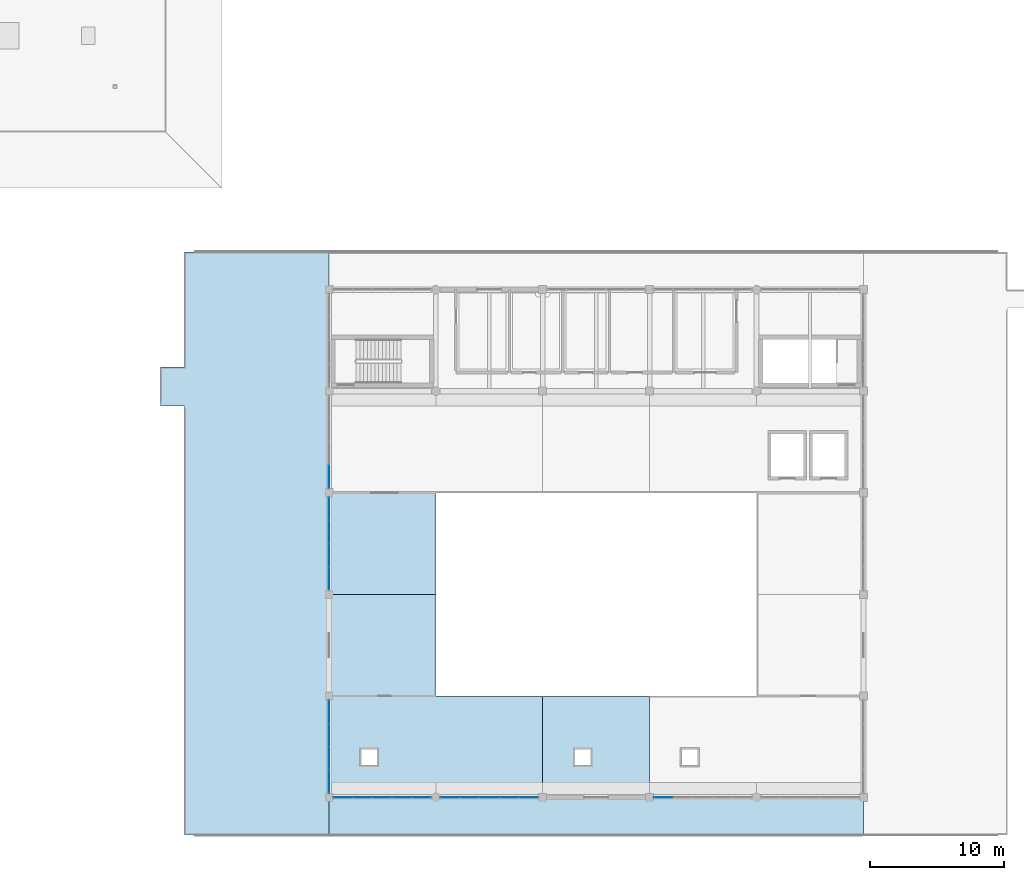
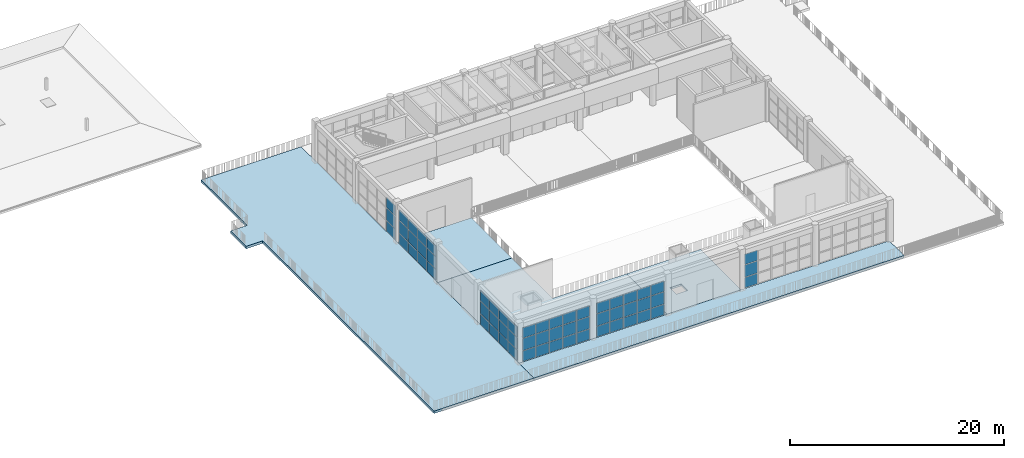
# One storey, part 22 of 32: 60 plates, 5 slabs, 6 elements without a shape of their own.
"""IFC4 building model written with IfcOpenShell, lengths in metres."""

from ifc_helpers import new_model, si_unit, direction, frame, origin, origin_2d, place, context, subcontext, project, spatial, polyline, rectangle, outline, extrude, material, layer, layer_set, type_object, element, aggregate, save


model = new_model("IFC4")

# Units and contexts
model_context = context("Model", 3, precision=1e-05, world=origin(), true_north=direction((0.0, 1.0)))
body_context = subcontext(model_context, "Body", "Model", "MODEL_VIEW")
ifc_project = project(units=[si_unit("LENGTHUNIT", "METRE"), si_unit("AREAUNIT", "SQUARE_METRE"), si_unit("VOLUMEUNIT", "CUBIC_METRE"), si_unit("PLANEANGLEUNIT", "RADIAN"), si_unit("MASSUNIT", "GRAM", prefix="KILO")], contexts=[model_context])

# Site, building, storey
site_placement = place(None, origin())
site = spatial("IfcSite", under=ifc_project, at=site_placement, CompositionType="ELEMENT")
building_placement = place(site_placement, origin())
building = spatial("IfcBuilding", under=site, at=building_placement, Name="Zantavel Square City Hall", CompositionType="ELEMENT")
storey_placement = place(building_placement, frame((0.0, 0.0, 23.699951171875)))
storey = spatial("IfcBuildingStorey", under=building, at=storey_placement, Name="L06", CompositionType="ELEMENT", Elevation=23.699951171875)

# Slabs
ifc_material_1 = material(Name="Concrete C35/45", Category="concrete")
ifc_layer_1 = layer(ifc_material_1, 0.22998046875, Name="Concrete C35/45")
ifc_layer_set_1 = layer_set([ifc_layer_1], Name="Concrete C35/45")
slab_type_1 = type_object("IfcSlabType", Name="Gallery Mezzanine Slab 230mm C35/45", PredefinedType="FLOOR", material=ifc_layer_set_1)
slab_1_placement = place(storey_placement, frame((0.0, 0.0, -0.22998046875)))
element("IfcSlab", 1, at=slab_1_placement, inside=storey, type_object=slab_type_1, Name="L06 Floor Slab SLB-L06-V1-01", PredefinedType="FLOOR", context=body_context, shape_type="SweptSolid", body=[
    extrude(outline(polyline([(72.0, 45.60009765625), (72.0, 38.0), (80.0, 38.0), (80.0, 30.39990234375), (64.0, 30.39990234375), (64.0, 45.60009765625), (72.0, 45.60009765625)]), holes=[polyline([(67.60009765625, 34.0), (66.39990234375, 34.0), (66.39990234375, 32.800048828125), (67.60009765625, 32.800048828125), (67.60009765625, 34.0)])]), origin(), (0.0, 0.0, 1.0), 0.22998046875),
])
slab_2_placement = place(storey_placement, frame((0.0, 0.0, -0.22998046875)))
element("IfcSlab", 2, at=slab_2_placement, inside=storey, type_object=slab_type_1, Name="L06 Floor Slab SLB-L06-V1-02", PredefinedType="FLOOR", context=body_context, shape_type="SweptSolid", body=[
    extrude(outline(polyline([(80.0, 30.39990234375), (80.0, 38.0), (88.0, 38.0), (88.0, 30.39990234375), (80.0, 30.39990234375)]), holes=[polyline([(83.60009765625, 34.0), (82.39990234375, 34.0), (82.39990234375, 32.800048828125), (83.60009765625, 32.800048828125), (83.60009765625, 34.0)])]), origin(), (0.0, 0.0, 1.0), 0.22998046875),
])
slab_3_placement = place(storey_placement, frame((0.0, 0.0, -0.22998046875)))
element("IfcSlab", 3, at=slab_3_placement, inside=storey, type_object=slab_type_1, Name="L06 Floor Slab SLB-L06-V1-04", PredefinedType="FLOOR", context=body_context, shape_type="SweptSolid", body=[
    extrude(outline(polyline([(72.0, 53.199951171875), (72.0, 45.60009765625), (64.0, 45.60009765625), (64.0, 53.199951171875), (72.0, 53.199951171875)])), origin(), (0.0, 0.0, 1.0), 0.22998046875),
])

# Curtain wall, plates
ifc_material_2 = material(Name="Anodised aluminium 6063-T6", Category="aluminium")
curtain_wall_type_1 = type_object("IfcCurtainWallType", Name="Curtain Wall TRV1 7375x3980", PredefinedType="USERDEFINED", material=ifc_material_2)
curtain_wall_1_placement = place(storey_placement, origin())
curtain_wall_1 = element("IfcCurtainWall", 4, at=curtain_wall_1_placement, inside=storey, type_object=curtain_wall_type_1, Name="L06 Glazed Curtain Wall CW-L06-155", ObjectType="GLAZED CURTAIN WALL", PredefinedType="USERDEFINED")
ifc_material_3 = material(Name="Tempered safety glass low-E double glazing", Category="glass")
ifc_layer_2 = layer(ifc_material_3, 0.028076171875, Name="Tempered safety glass low-E double glazing")
ifc_layer_set_2 = layer_set([ifc_layer_2], Name="Tempered safety glass low-E double glazing")
plate_type_1 = type_object("IfcPlateType", Name="Low-E Curtain Glazing Panel 1475x1327x28", PredefinedType="CURTAIN_PANEL", material=ifc_layer_set_2)
plate_1_placement = place(storey_placement, frame((89.052490234375, 30.39990234375, 0.06005859375), z_axis=(0.0, 0.0, 1.0), x_axis=(-1.0, 0.0, 0.0)))
plate_1 = element("IfcPlate", 5, at=plate_1_placement, type_object=plate_type_1, Name="CW-155 panel 5.1", PredefinedType="CURTAIN_PANEL", context=body_context, shape_type="SweptSolid", body=[
    extrude(rectangle(XDim=1.385009765625, YDim=0.028076171875, at=origin_2d()), origin(), (0.0, 0.0, 1.0), 1.18408203125),
])
plate_2_placement = place(storey_placement, frame((89.052490234375, 30.39990234375, 1.303955078125), z_axis=(0.0, 0.0, 1.0), x_axis=(-1.0, 0.0, 0.0)))
plate_2 = element("IfcPlate", 6, at=plate_2_placement, type_object=plate_type_1, Name="CW-155 panel 5.2", PredefinedType="CURTAIN_PANEL", context=body_context, shape_type="SweptSolid", body=[
    extrude(rectangle(XDim=1.385009765625, YDim=0.028076171875, at=origin_2d()), origin(), (0.0, 0.0, 1.0), 1.3720703125),
])
plate_3_placement = place(storey_placement, frame((89.052490234375, 30.39990234375, 2.736083984375), z_axis=(0.0, 0.0, 1.0), x_axis=(-1.0, 0.0, 0.0)))
plate_3 = element("IfcPlate", 7, at=plate_3_placement, type_object=plate_type_1, Name="CW-155 panel 5.3", PredefinedType="CURTAIN_PANEL", context=body_context, shape_type="SweptSolid", body=[
    extrude(rectangle(XDim=1.385009765625, YDim=0.028076171875, at=origin_2d()), origin(), (0.0, 0.0, 1.0), 1.18408203125),
])
aggregate(curtain_wall_1, [plate_1, plate_2, plate_3])

curtain_wall_2_placement = place(storey_placement, origin())
curtain_wall_2 = element("IfcCurtainWall", 8, at=curtain_wall_2_placement, inside=storey, type_object=curtain_wall_type_1, Name="L06 Glazed Curtain Wall CW-L06-156", ObjectType="GLAZED CURTAIN WALL", PredefinedType="USERDEFINED")
plate_4_placement = place(storey_placement, frame((78.947509765625, 30.39990234375, 0.06005859375), z_axis=(0.0, 0.0, 1.0), x_axis=(-1.0, 0.0, 0.0)))
plate_4 = element("IfcPlate", 9, at=plate_4_placement, type_object=plate_type_1, Name="CW-156 panel 1.1", PredefinedType="CURTAIN_PANEL", context=body_context, shape_type="SweptSolid", body=[
    extrude(rectangle(XDim=1.385009765625, YDim=0.028076171875, at=origin_2d()), origin(), (0.0, 0.0, 1.0), 1.18408203125),
])
plate_5_placement = place(storey_placement, frame((78.947509765625, 30.39990234375, 1.303955078125), z_axis=(0.0, 0.0, 1.0), x_axis=(-1.0, 0.0, 0.0)))
plate_5 = element("IfcPlate", 10, at=plate_5_placement, type_object=plate_type_1, Name="CW-156 panel 1.2", PredefinedType="CURTAIN_PANEL", context=body_context, shape_type="SweptSolid", body=[
    extrude(rectangle(XDim=1.385009765625, YDim=0.028076171875, at=origin_2d()), origin(), (0.0, 0.0, 1.0), 1.3720703125),
])
plate_6_placement = place(storey_placement, frame((78.947509765625, 30.39990234375, 2.736083984375), z_axis=(0.0, 0.0, 1.0), x_axis=(-1.0, 0.0, 0.0)))
plate_6 = element("IfcPlate", 11, at=plate_6_placement, type_object=plate_type_1, Name="CW-156 panel 1.3", PredefinedType="CURTAIN_PANEL", context=body_context, shape_type="SweptSolid", body=[
    extrude(rectangle(XDim=1.385009765625, YDim=0.028076171875, at=origin_2d()), origin(), (0.0, 0.0, 1.0), 1.18408203125),
])
plate_7_placement = place(storey_placement, frame((77.487548828125, 30.39990234375, 0.06005859375), z_axis=(0.0, 0.0, 1.0), x_axis=(-1.0, 0.0, 0.0)))
plate_7 = element("IfcPlate", 12, at=plate_7_placement, type_object=plate_type_1, Name="CW-156 panel 2.1", PredefinedType="CURTAIN_PANEL", context=body_context, shape_type="SweptSolid", body=[
    extrude(rectangle(XDim=1.4150390625, YDim=0.028076171875, at=origin_2d()), origin(), (0.0, 0.0, 1.0), 1.18408203125),
])
plate_8_placement = place(storey_placement, frame((77.487548828125, 30.39990234375, 1.303955078125), z_axis=(0.0, 0.0, 1.0), x_axis=(-1.0, 0.0, 0.0)))
plate_8 = element("IfcPlate", 13, at=plate_8_placement, type_object=plate_type_1, Name="CW-156 panel 2.2", PredefinedType="CURTAIN_PANEL", context=body_context, shape_type="SweptSolid", body=[
    extrude(rectangle(XDim=1.4150390625, YDim=0.028076171875, at=origin_2d()), origin(), (0.0, 0.0, 1.0), 1.3720703125),
])
plate_9_placement = place(storey_placement, frame((77.487548828125, 30.39990234375, 2.736083984375), z_axis=(0.0, 0.0, 1.0), x_axis=(-1.0, 0.0, 0.0)))
plate_9 = element("IfcPlate", 14, at=plate_9_placement, type_object=plate_type_1, Name="CW-156 panel 2.3", PredefinedType="CURTAIN_PANEL", context=body_context, shape_type="SweptSolid", body=[
    extrude(rectangle(XDim=1.4150390625, YDim=0.028076171875, at=origin_2d()), origin(), (0.0, 0.0, 1.0), 1.18408203125),
])
plate_10_placement = place(storey_placement, frame((76.012451171875, 30.39990234375, 0.06005859375), z_axis=(0.0, 0.0, 1.0), x_axis=(-1.0, 0.0, 0.0)))
plate_10 = element("IfcPlate", 15, at=plate_10_placement, type_object=plate_type_1, Name="CW-156 panel 3.1", PredefinedType="CURTAIN_PANEL", context=body_context, shape_type="SweptSolid", body=[
    extrude(rectangle(XDim=1.4150390625, YDim=0.028076171875, at=origin_2d()), origin(), (0.0, 0.0, 1.0), 1.18408203125),
])
plate_11_placement = place(storey_placement, frame((76.012451171875, 30.39990234375, 1.303955078125), z_axis=(0.0, 0.0, 1.0), x_axis=(-1.0, 0.0, 0.0)))
plate_11 = element("IfcPlate", 16, at=plate_11_placement, type_object=plate_type_1, Name="CW-156 panel 3.2", PredefinedType="CURTAIN_PANEL", context=body_context, shape_type="SweptSolid", body=[
    extrude(rectangle(XDim=1.4150390625, YDim=0.028076171875, at=origin_2d()), origin(), (0.0, 0.0, 1.0), 1.3720703125),
])
plate_12_placement = place(storey_placement, frame((76.012451171875, 30.39990234375, 2.736083984375), z_axis=(0.0, 0.0, 1.0), x_axis=(-1.0, 0.0, 0.0)))
plate_12 = element("IfcPlate", 17, at=plate_12_placement, type_object=plate_type_1, Name="CW-156 panel 3.3", PredefinedType="CURTAIN_PANEL", context=body_context, shape_type="SweptSolid", body=[
    extrude(rectangle(XDim=1.4150390625, YDim=0.028076171875, at=origin_2d()), origin(), (0.0, 0.0, 1.0), 1.18408203125),
])
plate_13_placement = place(storey_placement, frame((74.53759765625, 30.39990234375, 0.06005859375), z_axis=(0.0, 0.0, 1.0), x_axis=(-1.0, 0.0, 0.0)))
plate_13 = element("IfcPlate", 18, at=plate_13_placement, type_object=plate_type_1, Name="CW-156 panel 4.1", PredefinedType="CURTAIN_PANEL", context=body_context, shape_type="SweptSolid", body=[
    extrude(rectangle(XDim=1.4150390625, YDim=0.028076171875, at=origin_2d()), origin(), (0.0, 0.0, 1.0), 1.18408203125),
])
plate_14_placement = place(storey_placement, frame((74.53759765625, 30.39990234375, 1.303955078125), z_axis=(0.0, 0.0, 1.0), x_axis=(-1.0, 0.0, 0.0)))
plate_14 = element("IfcPlate", 19, at=plate_14_placement, type_object=plate_type_1, Name="CW-156 panel 4.2", PredefinedType="CURTAIN_PANEL", context=body_context, shape_type="SweptSolid", body=[
    extrude(rectangle(XDim=1.4150390625, YDim=0.028076171875, at=origin_2d()), origin(), (0.0, 0.0, 1.0), 1.3720703125),
])
plate_15_placement = place(storey_placement, frame((74.53759765625, 30.39990234375, 2.736083984375), z_axis=(0.0, 0.0, 1.0), x_axis=(-1.0, 0.0, 0.0)))
plate_15 = element("IfcPlate", 20, at=plate_15_placement, type_object=plate_type_1, Name="CW-156 panel 4.3", PredefinedType="CURTAIN_PANEL", context=body_context, shape_type="SweptSolid", body=[
    extrude(rectangle(XDim=1.4150390625, YDim=0.028076171875, at=origin_2d()), origin(), (0.0, 0.0, 1.0), 1.18408203125),
])
plate_16_placement = place(storey_placement, frame((73.077392578125, 30.39990234375, 0.06005859375), z_axis=(0.0, 0.0, 1.0), x_axis=(-1.0, 0.0, 0.0)))
plate_16 = element("IfcPlate", 21, at=plate_16_placement, type_object=plate_type_1, Name="CW-156 panel 5.1", PredefinedType="CURTAIN_PANEL", context=body_context, shape_type="SweptSolid", body=[
    extrude(rectangle(XDim=1.385009765625, YDim=0.028076171875, at=origin_2d()), origin(), (0.0, 0.0, 1.0), 1.18408203125),
])
plate_17_placement = place(storey_placement, frame((73.077392578125, 30.39990234375, 1.303955078125), z_axis=(0.0, 0.0, 1.0), x_axis=(-1.0, 0.0, 0.0)))
plate_17 = element("IfcPlate", 22, at=plate_17_placement, type_object=plate_type_1, Name="CW-156 panel 5.2", PredefinedType="CURTAIN_PANEL", context=body_context, shape_type="SweptSolid", body=[
    extrude(rectangle(XDim=1.385009765625, YDim=0.028076171875, at=origin_2d()), origin(), (0.0, 0.0, 1.0), 1.3720703125),
])
plate_18_placement = place(storey_placement, frame((73.077392578125, 30.39990234375, 2.736083984375), z_axis=(0.0, 0.0, 1.0), x_axis=(-1.0, 0.0, 0.0)))
plate_18 = element("IfcPlate", 23, at=plate_18_placement, type_object=plate_type_1, Name="CW-156 panel 5.3", PredefinedType="CURTAIN_PANEL", context=body_context, shape_type="SweptSolid", body=[
    extrude(rectangle(XDim=1.385009765625, YDim=0.028076171875, at=origin_2d()), origin(), (0.0, 0.0, 1.0), 1.18408203125),
])
aggregate(curtain_wall_2, [plate_4, plate_5, plate_6, plate_7, plate_8, plate_9, plate_10, plate_11, plate_12, plate_13, plate_14, plate_15, plate_16, plate_17, plate_18])

curtain_wall_3_placement = place(storey_placement, origin())
curtain_wall_3 = element("IfcCurtainWall", 24, at=curtain_wall_3_placement, inside=storey, type_object=curtain_wall_type_1, Name="L06 Glazed Curtain Wall CW-L06-157", ObjectType="GLAZED CURTAIN WALL", PredefinedType="USERDEFINED")
plate_19_placement = place(storey_placement, frame((70.922607421875, 30.39990234375, 0.06005859375), z_axis=(0.0, 0.0, 1.0), x_axis=(-1.0, 0.0, 0.0)))
plate_19 = element("IfcPlate", 25, at=plate_19_placement, type_object=plate_type_1, Name="CW-157 panel 1.1", PredefinedType="CURTAIN_PANEL", context=body_context, shape_type="SweptSolid", body=[
    extrude(rectangle(XDim=1.385009765625, YDim=0.028076171875, at=origin_2d()), origin(), (0.0, 0.0, 1.0), 1.18408203125),
])
plate_20_placement = place(storey_placement, frame((70.922607421875, 30.39990234375, 1.303955078125), z_axis=(0.0, 0.0, 1.0), x_axis=(-1.0, 0.0, 0.0)))
plate_20 = element("IfcPlate", 26, at=plate_20_placement, type_object=plate_type_1, Name="CW-157 panel 1.2", PredefinedType="CURTAIN_PANEL", context=body_context, shape_type="SweptSolid", body=[
    extrude(rectangle(XDim=1.385009765625, YDim=0.028076171875, at=origin_2d()), origin(), (0.0, 0.0, 1.0), 1.3720703125),
])
plate_21_placement = place(storey_placement, frame((70.922607421875, 30.39990234375, 2.736083984375), z_axis=(0.0, 0.0, 1.0), x_axis=(-1.0, 0.0, 0.0)))
plate_21 = element("IfcPlate", 27, at=plate_21_placement, type_object=plate_type_1, Name="CW-157 panel 1.3", PredefinedType="CURTAIN_PANEL", context=body_context, shape_type="SweptSolid", body=[
    extrude(rectangle(XDim=1.385009765625, YDim=0.028076171875, at=origin_2d()), origin(), (0.0, 0.0, 1.0), 1.18408203125),
])
plate_22_placement = place(storey_placement, frame((69.46240234375, 30.39990234375, 0.06005859375), z_axis=(0.0, 0.0, 1.0), x_axis=(-1.0, 0.0, 0.0)))
plate_22 = element("IfcPlate", 28, at=plate_22_placement, type_object=plate_type_1, Name="CW-157 panel 2.1", PredefinedType="CURTAIN_PANEL", context=body_context, shape_type="SweptSolid", body=[
    extrude(rectangle(XDim=1.4150390625, YDim=0.028076171875, at=origin_2d()), origin(), (0.0, 0.0, 1.0), 1.18408203125),
])
plate_23_placement = place(storey_placement, frame((69.46240234375, 30.39990234375, 1.303955078125), z_axis=(0.0, 0.0, 1.0), x_axis=(-1.0, 0.0, 0.0)))
plate_23 = element("IfcPlate", 29, at=plate_23_placement, type_object=plate_type_1, Name="CW-157 panel 2.2", PredefinedType="CURTAIN_PANEL", context=body_context, shape_type="SweptSolid", body=[
    extrude(rectangle(XDim=1.4150390625, YDim=0.028076171875, at=origin_2d()), origin(), (0.0, 0.0, 1.0), 1.3720703125),
])
plate_24_placement = place(storey_placement, frame((69.46240234375, 30.39990234375, 2.736083984375), z_axis=(0.0, 0.0, 1.0), x_axis=(-1.0, 0.0, 0.0)))
plate_24 = element("IfcPlate", 30, at=plate_24_placement, type_object=plate_type_1, Name="CW-157 panel 2.3", PredefinedType="CURTAIN_PANEL", context=body_context, shape_type="SweptSolid", body=[
    extrude(rectangle(XDim=1.4150390625, YDim=0.028076171875, at=origin_2d()), origin(), (0.0, 0.0, 1.0), 1.18408203125),
])
plate_25_placement = place(storey_placement, frame((67.987548828125, 30.39990234375, 0.06005859375), z_axis=(0.0, 0.0, 1.0), x_axis=(-1.0, 0.0, 0.0)))
plate_25 = element("IfcPlate", 31, at=plate_25_placement, type_object=plate_type_1, Name="CW-157 panel 3.1", PredefinedType="CURTAIN_PANEL", context=body_context, shape_type="SweptSolid", body=[
    extrude(rectangle(XDim=1.4150390625, YDim=0.028076171875, at=origin_2d()), origin(), (0.0, 0.0, 1.0), 1.18408203125),
])
plate_26_placement = place(storey_placement, frame((67.987548828125, 30.39990234375, 1.303955078125), z_axis=(0.0, 0.0, 1.0), x_axis=(-1.0, 0.0, 0.0)))
plate_26 = element("IfcPlate", 32, at=plate_26_placement, type_object=plate_type_1, Name="CW-157 panel 3.2", PredefinedType="CURTAIN_PANEL", context=body_context, shape_type="SweptSolid", body=[
    extrude(rectangle(XDim=1.4150390625, YDim=0.028076171875, at=origin_2d()), origin(), (0.0, 0.0, 1.0), 1.3720703125),
])
plate_27_placement = place(storey_placement, frame((67.987548828125, 30.39990234375, 2.736083984375), z_axis=(0.0, 0.0, 1.0), x_axis=(-1.0, 0.0, 0.0)))
plate_27 = element("IfcPlate", 33, at=plate_27_placement, type_object=plate_type_1, Name="CW-157 panel 3.3", PredefinedType="CURTAIN_PANEL", context=body_context, shape_type="SweptSolid", body=[
    extrude(rectangle(XDim=1.4150390625, YDim=0.028076171875, at=origin_2d()), origin(), (0.0, 0.0, 1.0), 1.18408203125),
])
plate_28_placement = place(storey_placement, frame((66.512451171875, 30.39990234375, 0.06005859375), z_axis=(0.0, 0.0, 1.0), x_axis=(-1.0, 0.0, 0.0)))
plate_28 = element("IfcPlate", 34, at=plate_28_placement, type_object=plate_type_1, Name="CW-157 panel 4.1", PredefinedType="CURTAIN_PANEL", context=body_context, shape_type="SweptSolid", body=[
    extrude(rectangle(XDim=1.4150390625, YDim=0.028076171875, at=origin_2d()), origin(), (0.0, 0.0, 1.0), 1.18408203125),
])
plate_29_placement = place(storey_placement, frame((66.512451171875, 30.39990234375, 1.303955078125), z_axis=(0.0, 0.0, 1.0), x_axis=(-1.0, 0.0, 0.0)))
plate_29 = element("IfcPlate", 35, at=plate_29_placement, type_object=plate_type_1, Name="CW-157 panel 4.2", PredefinedType="CURTAIN_PANEL", context=body_context, shape_type="SweptSolid", body=[
    extrude(rectangle(XDim=1.4150390625, YDim=0.028076171875, at=origin_2d()), origin(), (0.0, 0.0, 1.0), 1.3720703125),
])
plate_30_placement = place(storey_placement, frame((66.512451171875, 30.39990234375, 2.736083984375), z_axis=(0.0, 0.0, 1.0), x_axis=(-1.0, 0.0, 0.0)))
plate_30 = element("IfcPlate", 36, at=plate_30_placement, type_object=plate_type_1, Name="CW-157 panel 4.3", PredefinedType="CURTAIN_PANEL", context=body_context, shape_type="SweptSolid", body=[
    extrude(rectangle(XDim=1.4150390625, YDim=0.028076171875, at=origin_2d()), origin(), (0.0, 0.0, 1.0), 1.18408203125),
])
plate_31_placement = place(storey_placement, frame((65.052490234375, 30.39990234375, 0.06005859375), z_axis=(0.0, 0.0, 1.0), x_axis=(-1.0, 0.0, 0.0)))
plate_31 = element("IfcPlate", 37, at=plate_31_placement, type_object=plate_type_1, Name="CW-157 panel 5.1", PredefinedType="CURTAIN_PANEL", context=body_context, shape_type="SweptSolid", body=[
    extrude(rectangle(XDim=1.385009765625, YDim=0.028076171875, at=origin_2d()), origin(), (0.0, 0.0, 1.0), 1.18408203125),
])
plate_32_placement = place(storey_placement, frame((65.052490234375, 30.39990234375, 1.303955078125), z_axis=(0.0, 0.0, 1.0), x_axis=(-1.0, 0.0, 0.0)))
plate_32 = element("IfcPlate", 38, at=plate_32_placement, type_object=plate_type_1, Name="CW-157 panel 5.2", PredefinedType="CURTAIN_PANEL", context=body_context, shape_type="SweptSolid", body=[
    extrude(rectangle(XDim=1.385009765625, YDim=0.028076171875, at=origin_2d()), origin(), (0.0, 0.0, 1.0), 1.3720703125),
])
plate_33_placement = place(storey_placement, frame((65.052490234375, 30.39990234375, 2.736083984375), z_axis=(0.0, 0.0, 1.0), x_axis=(-1.0, 0.0, 0.0)))
plate_33 = element("IfcPlate", 39, at=plate_33_placement, type_object=plate_type_1, Name="CW-157 panel 5.3", PredefinedType="CURTAIN_PANEL", context=body_context, shape_type="SweptSolid", body=[
    extrude(rectangle(XDim=1.385009765625, YDim=0.028076171875, at=origin_2d()), origin(), (0.0, 0.0, 1.0), 1.18408203125),
])
aggregate(curtain_wall_3, [plate_19, plate_20, plate_21, plate_22, plate_23, plate_24, plate_25, plate_26, plate_27, plate_28, plate_29, plate_30, plate_31, plate_32, plate_33])

curtain_wall_type_2 = type_object("IfcCurtainWallType", Name="Curtain Wall TRV1 7000x4030", PredefinedType="USERDEFINED", material=ifc_material_2)
curtain_wall_4_placement = place(storey_placement, origin())
curtain_wall_4 = element("IfcCurtainWall", 40, at=curtain_wall_4_placement, inside=storey, type_object=curtain_wall_type_2, Name="L06 Glazed Curtain Wall CW-L06-144", ObjectType="GLAZED CURTAIN WALL", PredefinedType="USERDEFINED")
ifc_layer_3 = layer(ifc_material_3, 0.028076171875, Name="Tempered safety glass low-E double glazing")
ifc_layer_set_3 = layer_set([ifc_layer_3], Name="Tempered safety glass low-E double glazing")
plate_type_2 = type_object("IfcPlateType", Name="Low-E Curtain Glazing Panel 1750x1343x28", PredefinedType="CURTAIN_PANEL", material=ifc_layer_set_3)
plate_34_placement = place(storey_placement, frame((64.0, 54.389892578125, 0.06005859375), z_axis=(0.0, 0.0, 1.0), x_axis=(0.0, 1.0, 0.0)))
plate_34 = element("IfcPlate", 41, at=plate_34_placement, type_object=plate_type_2, Name="CW-144 panel 1.1", PredefinedType="CURTAIN_PANEL", context=body_context, shape_type="SweptSolid", body=[
    extrude(rectangle(XDim=1.659912109375, YDim=0.028076171875, at=origin_2d()), origin(), (0.0, 0.0, 1.0), 1.199951171875),
])
plate_35_placement = place(storey_placement, frame((64.0, 54.389892578125, 1.3203125), z_axis=(0.0, 0.0, 1.0), x_axis=(0.0, 1.0, 0.0)))
plate_35 = element("IfcPlate", 42, at=plate_35_placement, type_object=plate_type_2, Name="CW-144 panel 1.2", PredefinedType="CURTAIN_PANEL", context=body_context, shape_type="SweptSolid", body=[
    extrude(rectangle(XDim=1.659912109375, YDim=0.028076171875, at=origin_2d()), origin(), (0.0, 0.0, 1.0), 1.389892578125),
])
plate_36_placement = place(storey_placement, frame((64.0, 54.389892578125, 2.77001953125), z_axis=(0.0, 0.0, 1.0), x_axis=(0.0, 1.0, 0.0)))
plate_36 = element("IfcPlate", 43, at=plate_36_placement, type_object=plate_type_2, Name="CW-144 panel 1.3", PredefinedType="CURTAIN_PANEL", context=body_context, shape_type="SweptSolid", body=[
    extrude(rectangle(XDim=1.659912109375, YDim=0.028076171875, at=origin_2d()), origin(), (0.0, 0.0, 1.0), 1.199951171875),
])
aggregate(curtain_wall_4, [plate_34, plate_35, plate_36])

curtain_wall_5_placement = place(storey_placement, origin())
curtain_wall_5 = element("IfcCurtainWall", 44, at=curtain_wall_5_placement, inside=storey, type_object=curtain_wall_type_2, Name="L06 Glazed Curtain Wall CW-L06-158", ObjectType="GLAZED CURTAIN WALL", PredefinedType="USERDEFINED")
plate_37_placement = place(storey_placement, frame((64.0, 31.590087890625, 0.06005859375), z_axis=(0.0, 0.0, 1.0), x_axis=(0.0, 1.0, 0.0)))
plate_37 = element("IfcPlate", 45, at=plate_37_placement, type_object=plate_type_2, Name="CW-158 panel 1.1", PredefinedType="CURTAIN_PANEL", context=body_context, shape_type="SweptSolid", body=[
    extrude(rectangle(XDim=1.659912109375, YDim=0.028076171875, at=origin_2d()), origin(), (0.0, 0.0, 1.0), 1.199951171875),
])
plate_38_placement = place(storey_placement, frame((64.0, 31.590087890625, 1.3203125), z_axis=(0.0, 0.0, 1.0), x_axis=(0.0, 1.0, 0.0)))
plate_38 = element("IfcPlate", 46, at=plate_38_placement, type_object=plate_type_2, Name="CW-158 panel 1.2", PredefinedType="CURTAIN_PANEL", context=body_context, shape_type="SweptSolid", body=[
    extrude(rectangle(XDim=1.659912109375, YDim=0.028076171875, at=origin_2d()), origin(), (0.0, 0.0, 1.0), 1.389892578125),
])
plate_39_placement = place(storey_placement, frame((64.0, 31.590087890625, 2.77001953125), z_axis=(0.0, 0.0, 1.0), x_axis=(0.0, 1.0, 0.0)))
plate_39 = element("IfcPlate", 47, at=plate_39_placement, type_object=plate_type_2, Name="CW-158 panel 1.3", PredefinedType="CURTAIN_PANEL", context=body_context, shape_type="SweptSolid", body=[
    extrude(rectangle(XDim=1.659912109375, YDim=0.028076171875, at=origin_2d()), origin(), (0.0, 0.0, 1.0), 1.199951171875),
])
plate_40_placement = place(storey_placement, frame((64.0, 33.324951171875, 0.06005859375), z_axis=(0.0, 0.0, 1.0), x_axis=(0.0, 1.0, 0.0)))
plate_40 = element("IfcPlate", 48, at=plate_40_placement, type_object=plate_type_2, Name="CW-158 panel 2.1", PredefinedType="CURTAIN_PANEL", context=body_context, shape_type="SweptSolid", body=[
    extrude(rectangle(XDim=1.68994140625, YDim=0.028076171875, at=origin_2d()), origin(), (0.0, 0.0, 1.0), 1.199951171875),
])
plate_41_placement = place(storey_placement, frame((64.0, 33.324951171875, 1.3203125), z_axis=(0.0, 0.0, 1.0), x_axis=(0.0, 1.0, 0.0)))
plate_41 = element("IfcPlate", 49, at=plate_41_placement, type_object=plate_type_2, Name="CW-158 panel 2.2", PredefinedType="CURTAIN_PANEL", context=body_context, shape_type="SweptSolid", body=[
    extrude(rectangle(XDim=1.68994140625, YDim=0.028076171875, at=origin_2d()), origin(), (0.0, 0.0, 1.0), 1.389892578125),
])
plate_42_placement = place(storey_placement, frame((64.0, 33.324951171875, 2.77001953125), z_axis=(0.0, 0.0, 1.0), x_axis=(0.0, 1.0, 0.0)))
plate_42 = element("IfcPlate", 50, at=plate_42_placement, type_object=plate_type_2, Name="CW-158 panel 2.3", PredefinedType="CURTAIN_PANEL", context=body_context, shape_type="SweptSolid", body=[
    extrude(rectangle(XDim=1.68994140625, YDim=0.028076171875, at=origin_2d()), origin(), (0.0, 0.0, 1.0), 1.199951171875),
])
plate_43_placement = place(storey_placement, frame((64.0, 35.074951171875, 0.06005859375), z_axis=(0.0, 0.0, 1.0), x_axis=(0.0, 1.0, 0.0)))
plate_43 = element("IfcPlate", 51, at=plate_43_placement, type_object=plate_type_2, Name="CW-158 panel 3.1", PredefinedType="CURTAIN_PANEL", context=body_context, shape_type="SweptSolid", body=[
    extrude(rectangle(XDim=1.68994140625, YDim=0.028076171875, at=origin_2d()), origin(), (0.0, 0.0, 1.0), 1.199951171875),
])
plate_44_placement = place(storey_placement, frame((64.0, 35.074951171875, 1.3203125), z_axis=(0.0, 0.0, 1.0), x_axis=(0.0, 1.0, 0.0)))
plate_44 = element("IfcPlate", 52, at=plate_44_placement, type_object=plate_type_2, Name="CW-158 panel 3.2", PredefinedType="CURTAIN_PANEL", context=body_context, shape_type="SweptSolid", body=[
    extrude(rectangle(XDim=1.68994140625, YDim=0.028076171875, at=origin_2d()), origin(), (0.0, 0.0, 1.0), 1.389892578125),
])
plate_45_placement = place(storey_placement, frame((64.0, 35.074951171875, 2.77001953125), z_axis=(0.0, 0.0, 1.0), x_axis=(0.0, 1.0, 0.0)))
plate_45 = element("IfcPlate", 53, at=plate_45_placement, type_object=plate_type_2, Name="CW-158 panel 3.3", PredefinedType="CURTAIN_PANEL", context=body_context, shape_type="SweptSolid", body=[
    extrude(rectangle(XDim=1.68994140625, YDim=0.028076171875, at=origin_2d()), origin(), (0.0, 0.0, 1.0), 1.199951171875),
])
plate_46_placement = place(storey_placement, frame((64.0, 36.81005859375, 0.06005859375), z_axis=(0.0, 0.0, 1.0), x_axis=(0.0, 1.0, 0.0)))
plate_46 = element("IfcPlate", 54, at=plate_46_placement, type_object=plate_type_2, Name="CW-158 panel 4.1", PredefinedType="CURTAIN_PANEL", context=body_context, shape_type="SweptSolid", body=[
    extrude(rectangle(XDim=1.659912109375, YDim=0.028076171875, at=origin_2d()), origin(), (0.0, 0.0, 1.0), 1.199951171875),
])
plate_47_placement = place(storey_placement, frame((64.0, 36.81005859375, 1.3203125), z_axis=(0.0, 0.0, 1.0), x_axis=(0.0, 1.0, 0.0)))
plate_47 = element("IfcPlate", 55, at=plate_47_placement, type_object=plate_type_2, Name="CW-158 panel 4.2", PredefinedType="CURTAIN_PANEL", context=body_context, shape_type="SweptSolid", body=[
    extrude(rectangle(XDim=1.659912109375, YDim=0.028076171875, at=origin_2d()), origin(), (0.0, 0.0, 1.0), 1.389892578125),
])
plate_48_placement = place(storey_placement, frame((64.0, 36.81005859375, 2.77001953125), z_axis=(0.0, 0.0, 1.0), x_axis=(0.0, 1.0, 0.0)))
plate_48 = element("IfcPlate", 56, at=plate_48_placement, type_object=plate_type_2, Name="CW-158 panel 4.3", PredefinedType="CURTAIN_PANEL", context=body_context, shape_type="SweptSolid", body=[
    extrude(rectangle(XDim=1.659912109375, YDim=0.028076171875, at=origin_2d()), origin(), (0.0, 0.0, 1.0), 1.199951171875),
])
aggregate(curtain_wall_5, [plate_37, plate_38, plate_39, plate_40, plate_41, plate_42, plate_43, plate_44, plate_45, plate_46, plate_47, plate_48])

curtain_wall_6_placement = place(storey_placement, origin())
curtain_wall_6 = element("IfcCurtainWall", 57, at=curtain_wall_6_placement, inside=storey, type_object=curtain_wall_type_2, Name="L06 Glazed Curtain Wall CW-L06-159", ObjectType="GLAZED CURTAIN WALL", PredefinedType="USERDEFINED")
plate_49_placement = place(storey_placement, frame((64.0, 46.7900390625, 0.06005859375), z_axis=(0.0, 0.0, 1.0), x_axis=(0.0, 1.0, 0.0)))
plate_49 = element("IfcPlate", 58, at=plate_49_placement, type_object=plate_type_2, Name="CW-159 panel 1.1", PredefinedType="CURTAIN_PANEL", context=body_context, shape_type="SweptSolid", body=[
    extrude(rectangle(XDim=1.659912109375, YDim=0.028076171875, at=origin_2d()), origin(), (0.0, 0.0, 1.0), 1.199951171875),
])
plate_50_placement = place(storey_placement, frame((64.0, 46.7900390625, 1.3203125), z_axis=(0.0, 0.0, 1.0), x_axis=(0.0, 1.0, 0.0)))
plate_50 = element("IfcPlate", 59, at=plate_50_placement, type_object=plate_type_2, Name="CW-159 panel 1.2", PredefinedType="CURTAIN_PANEL", context=body_context, shape_type="SweptSolid", body=[
    extrude(rectangle(XDim=1.659912109375, YDim=0.028076171875, at=origin_2d()), origin(), (0.0, 0.0, 1.0), 1.389892578125),
])
plate_51_placement = place(storey_placement, frame((64.0, 46.7900390625, 2.77001953125), z_axis=(0.0, 0.0, 1.0), x_axis=(0.0, 1.0, 0.0)))
plate_51 = element("IfcPlate", 60, at=plate_51_placement, type_object=plate_type_2, Name="CW-159 panel 1.3", PredefinedType="CURTAIN_PANEL", context=body_context, shape_type="SweptSolid", body=[
    extrude(rectangle(XDim=1.659912109375, YDim=0.028076171875, at=origin_2d()), origin(), (0.0, 0.0, 1.0), 1.199951171875),
])
plate_52_placement = place(storey_placement, frame((64.0, 48.52490234375, 0.06005859375), z_axis=(0.0, 0.0, 1.0), x_axis=(0.0, 1.0, 0.0)))
plate_52 = element("IfcPlate", 61, at=plate_52_placement, type_object=plate_type_2, Name="CW-159 panel 2.1", PredefinedType="CURTAIN_PANEL", context=body_context, shape_type="SweptSolid", body=[
    extrude(rectangle(XDim=1.68994140625, YDim=0.028076171875, at=origin_2d()), origin(), (0.0, 0.0, 1.0), 1.199951171875),
])
plate_53_placement = place(storey_placement, frame((64.0, 48.52490234375, 1.3203125), z_axis=(0.0, 0.0, 1.0), x_axis=(0.0, 1.0, 0.0)))
plate_53 = element("IfcPlate", 62, at=plate_53_placement, type_object=plate_type_2, Name="CW-159 panel 2.2", PredefinedType="CURTAIN_PANEL", context=body_context, shape_type="SweptSolid", body=[
    extrude(rectangle(XDim=1.68994140625, YDim=0.028076171875, at=origin_2d()), origin(), (0.0, 0.0, 1.0), 1.389892578125),
])
plate_54_placement = place(storey_placement, frame((64.0, 48.52490234375, 2.77001953125), z_axis=(0.0, 0.0, 1.0), x_axis=(0.0, 1.0, 0.0)))
plate_54 = element("IfcPlate", 63, at=plate_54_placement, type_object=plate_type_2, Name="CW-159 panel 2.3", PredefinedType="CURTAIN_PANEL", context=body_context, shape_type="SweptSolid", body=[
    extrude(rectangle(XDim=1.68994140625, YDim=0.028076171875, at=origin_2d()), origin(), (0.0, 0.0, 1.0), 1.199951171875),
])
plate_55_placement = place(storey_placement, frame((64.0, 50.27490234375, 0.06005859375), z_axis=(0.0, 0.0, 1.0), x_axis=(0.0, 1.0, 0.0)))
plate_55 = element("IfcPlate", 64, at=plate_55_placement, type_object=plate_type_2, Name="CW-159 panel 3.1", PredefinedType="CURTAIN_PANEL", context=body_context, shape_type="SweptSolid", body=[
    extrude(rectangle(XDim=1.68994140625, YDim=0.028076171875, at=origin_2d()), origin(), (0.0, 0.0, 1.0), 1.199951171875),
])
plate_56_placement = place(storey_placement, frame((64.0, 50.27490234375, 1.3203125), z_axis=(0.0, 0.0, 1.0), x_axis=(0.0, 1.0, 0.0)))
plate_56 = element("IfcPlate", 65, at=plate_56_placement, type_object=plate_type_2, Name="CW-159 panel 3.2", PredefinedType="CURTAIN_PANEL", context=body_context, shape_type="SweptSolid", body=[
    extrude(rectangle(XDim=1.68994140625, YDim=0.028076171875, at=origin_2d()), origin(), (0.0, 0.0, 1.0), 1.389892578125),
])
plate_57_placement = place(storey_placement, frame((64.0, 50.27490234375, 2.77001953125), z_axis=(0.0, 0.0, 1.0), x_axis=(0.0, 1.0, 0.0)))
plate_57 = element("IfcPlate", 66, at=plate_57_placement, type_object=plate_type_2, Name="CW-159 panel 3.3", PredefinedType="CURTAIN_PANEL", context=body_context, shape_type="SweptSolid", body=[
    extrude(rectangle(XDim=1.68994140625, YDim=0.028076171875, at=origin_2d()), origin(), (0.0, 0.0, 1.0), 1.199951171875),
])
plate_58_placement = place(storey_placement, frame((64.0, 52.010009765625, 0.06005859375), z_axis=(0.0, 0.0, 1.0), x_axis=(0.0, 1.0, 0.0)))
plate_58 = element("IfcPlate", 67, at=plate_58_placement, type_object=plate_type_2, Name="CW-159 panel 4.1", PredefinedType="CURTAIN_PANEL", context=body_context, shape_type="SweptSolid", body=[
    extrude(rectangle(XDim=1.659912109375, YDim=0.028076171875, at=origin_2d()), origin(), (0.0, 0.0, 1.0), 1.199951171875),
])
plate_59_placement = place(storey_placement, frame((64.0, 52.010009765625, 1.3203125), z_axis=(0.0, 0.0, 1.0), x_axis=(0.0, 1.0, 0.0)))
plate_59 = element("IfcPlate", 68, at=plate_59_placement, type_object=plate_type_2, Name="CW-159 panel 4.2", PredefinedType="CURTAIN_PANEL", context=body_context, shape_type="SweptSolid", body=[
    extrude(rectangle(XDim=1.659912109375, YDim=0.028076171875, at=origin_2d()), origin(), (0.0, 0.0, 1.0), 1.389892578125),
])
plate_60_placement = place(storey_placement, frame((64.0, 52.010009765625, 2.77001953125), z_axis=(0.0, 0.0, 1.0), x_axis=(0.0, 1.0, 0.0)))
plate_60 = element("IfcPlate", 69, at=plate_60_placement, type_object=plate_type_2, Name="CW-159 panel 4.3", PredefinedType="CURTAIN_PANEL", context=body_context, shape_type="SweptSolid", body=[
    extrude(rectangle(XDim=1.659912109375, YDim=0.028076171875, at=origin_2d()), origin(), (0.0, 0.0, 1.0), 1.199951171875),
])
aggregate(curtain_wall_6, [plate_49, plate_50, plate_51, plate_52, plate_53, plate_54, plate_55, plate_56, plate_57, plate_58, plate_59, plate_60])

# Slabs
ifc_material_4 = material(Name="Precast concrete C40/50", Category="concrete")
ifc_layer_4 = layer(ifc_material_4, 0.280029296875, Name="Precast concrete C40/50")
ifc_layer_set_4 = layer_set([ifc_layer_4], Name="Precast concrete C40/50")
slab_type_2 = type_object("IfcSlabType", Name="White Cantera Tray Slab 280mm C40/50", PredefinedType="FLOOR", material=ifc_layer_set_4)
slab_4_placement = place(storey_placement, frame((0.0, 0.0, -0.280029296875)))
element("IfcSlab", 70, at=slab_4_placement, inside=storey, type_object=slab_type_2, Name="L06 Outdoor Terrace Slab SLB-L06-TRAY4-W", PredefinedType="FLOOR", context=body_context, shape_type="SweptSolid", body=[
    extrude(outline(polyline([(64.0, 71.199951171875), (64.0, 68.39990234375), (64.0, 53.199951171875), (64.0, 45.60009765625), (64.0, 30.39990234375), (64.0, 27.60009765625), (53.199951171875, 27.60009765625), (53.199951171875, 59.68994140625), (51.39990234375, 59.68994140625), (51.39990234375, 62.60009765625), (53.199951171875, 62.60009765625), (53.199951171875, 71.199951171875), (64.0, 71.199951171875)])), origin(), (0.0, 0.0, 1.0), 0.280029296875),
])
slab_5_placement = place(storey_placement, frame((0.0, 0.0, -0.280029296875)))
element("IfcSlab", 71, at=slab_5_placement, inside=storey, type_object=slab_type_2, Name="L06 Outdoor Terrace Slab SLB-L06-TRAY4-S", PredefinedType="FLOOR", context=body_context, shape_type="SweptSolid", body=[
    extrude(outline(polyline([(104.0, 27.60009765625), (64.0, 27.60009765625), (64.0, 30.39990234375), (80.0, 30.39990234375), (88.0, 30.39990234375), (104.0, 30.39990234375), (104.0, 27.60009765625)])), origin(), (0.0, 0.0, 1.0), 0.280029296875),
])

save(model, "model.ifc")
